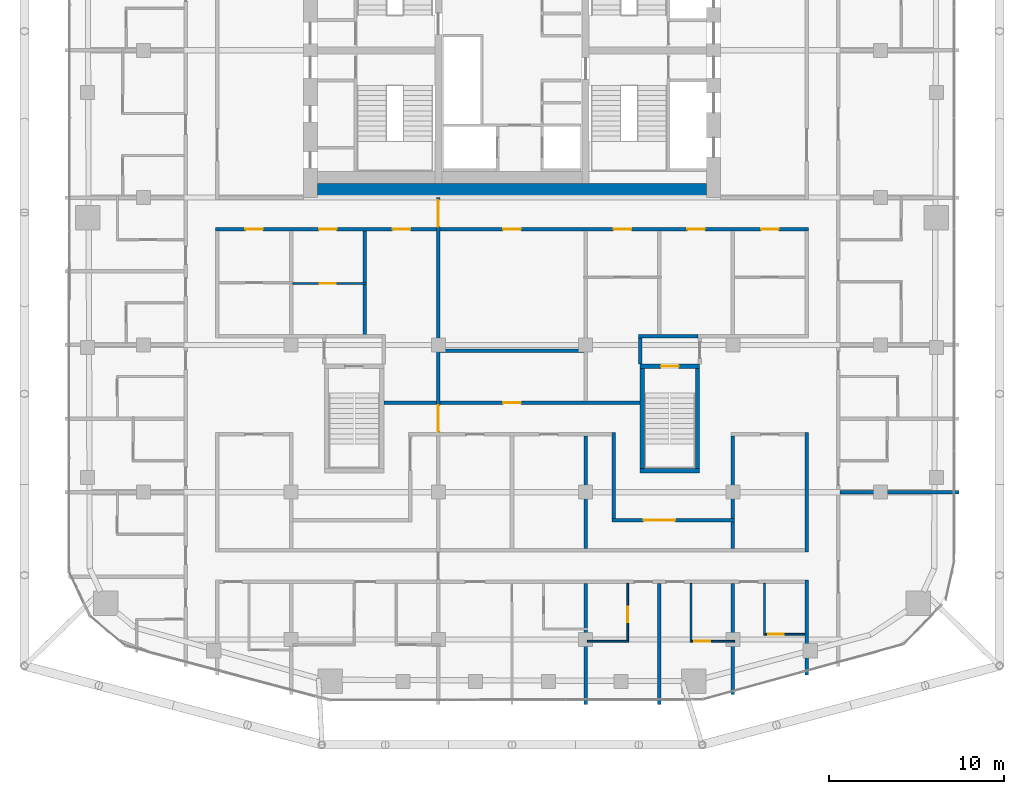
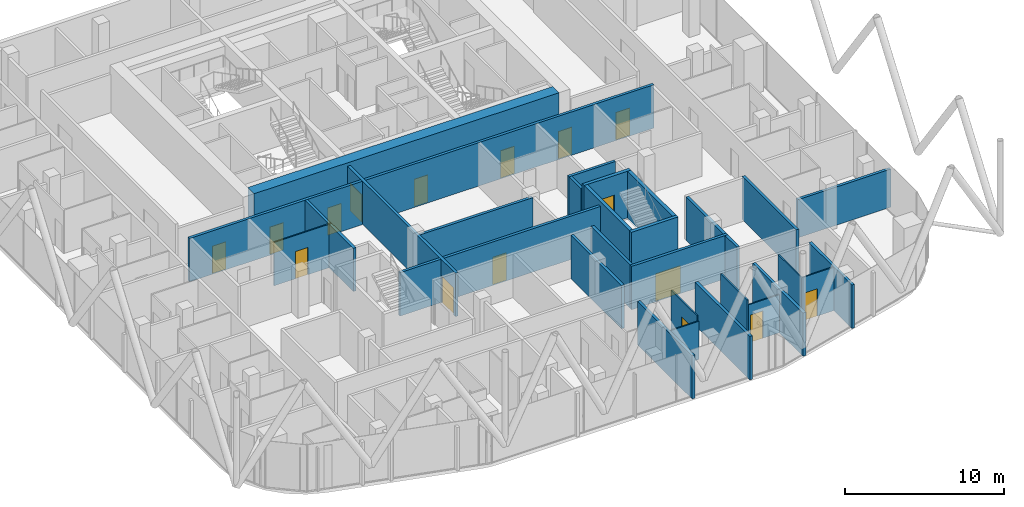
# One storey, part 22 of 28: 30 walls, 16 doors, 16 openings.
"""IFC4 building model written with IfcOpenShell, lengths in metres."""

from ifc_helpers import new_model, si_unit, direction, frame, frame_2d, origin, place, context, subcontext, project, spatial, rectangle, extrude, material, layer, layer_set, type_object, element, fill, save


model = new_model("IFC4")

# Units and contexts
model_context = context("Model", 3, precision=1e-05, world=origin(), true_north=direction((0.0, 1.0)))
body_context = subcontext(model_context, "Body", "Model", "MODEL_VIEW")
ifc_project = project(units=[si_unit("LENGTHUNIT", "METRE"), si_unit("AREAUNIT", "SQUARE_METRE"), si_unit("VOLUMEUNIT", "CUBIC_METRE"), si_unit("PLANEANGLEUNIT", "RADIAN"), si_unit("MASSUNIT", "GRAM", prefix="KILO")], contexts=[model_context])

# Site, building, storey
site_placement = place(None, origin())
site = spatial("IfcSite", under=ifc_project, at=site_placement, CompositionType="ELEMENT")
building_placement = place(site_placement, origin())
building = spatial("IfcBuilding", under=site, at=building_placement, Name="Marenta Gate Hotel Tower", CompositionType="ELEMENT")
storey_placement = place(building_placement, frame((0.0, 0.0, 227.300048828125)))
storey = spatial("IfcBuildingStorey", under=building, at=storey_placement, Name="L53", CompositionType="ELEMENT", Elevation=227.300048828125)

# Wall, openings, doors
ifc_material_1 = material(Name="Concrete blockwork", Category="masonry")
ifc_layer_1 = layer(ifc_material_1, 0.199951171875)
ifc_layer_set_1 = layer_set([ifc_layer_1], Name="Concrete blockwork")
wall_type_1 = type_object("IfcWallType", Name="Compartment wall 200 REI 180", PredefinedType="PARTITIONING", material=ifc_layer_set_1)
wall_1_placement = place(storey_placement, frame((-4.199951171875, -13.60009765625, 0.0), z_axis=(0.0, 0.0, 1.0), x_axis=(0.0, 1.0, 0.0)))
wall_1 = element("IfcWall", 1, at=wall_1_placement, inside=storey, type_object=wall_type_1, Name="L53-PTN-W082", PredefinedType="PARTITIONING", context=body_context, shape_type="SweptSolid", body=[
    extrude(rectangle(XDim=13.60009765625, YDim=0.199951171875, at=frame_2d((6.800048828125, 0.0))), origin(), (0.0, 0.0, 1.0), 3.33984375),
])
opening_1_placement = place(wall_1_placement, frame((11.949951171875, 0.0, 0.0)))
opening_1 = element("IfcOpeningElement", 2, at=opening_1_placement, cuts=wall_1, Name="Opening G19-FD2", PredefinedType="OPENING", context=body_context, shape_type="SweptSolid", body=[
    extrude(rectangle(XDim=1.5, YDim=2.10009765625, at=frame_2d((0.75, 1.050048828125))), frame((0.0, 0.10009765625, 0.0), z_axis=(0.0, -1.0, 0.0), x_axis=(1.0, 0.0, 0.0)), (0.0, 0.0, 1.0), 0.199951171875),
])
opening_2_placement = place(wall_1_placement, frame((0.25, 0.0, 0.0)))
opening_2 = element("IfcOpeningElement", 3, at=opening_2_placement, cuts=wall_1, Name="Opening G19-FD3", PredefinedType="OPENING", context=body_context, shape_type="SweptSolid", body=[
    extrude(rectangle(XDim=1.5, YDim=2.10009765625, at=frame_2d((0.75, 1.050048828125))), frame((0.0, 0.10009765625, 0.0), z_axis=(0.0, -1.0, 0.0), x_axis=(1.0, 0.0, 0.0)), (0.0, 0.0, 1.0), 0.199951171875),
])
ifc_material_2 = material(Name="Hollow steel door set", Category="steel")
door_type_1 = type_object("IfcDoorType", Name="Compartment fire door 1500x2100 EI 60", OperationType="DOUBLE_DOOR_DOUBLE_SWING", PredefinedType="DOOR", material=ifc_material_2)
door_1_placement = place(opening_1_placement, origin())
door_1 = element("IfcDoor", 4, at=door_1_placement, inside=storey, type_object=door_type_1, Name="L53-PD-FD02", OperationType="DOUBLE_DOOR_DOUBLE_SWING", OverallHeight=2.10009765625, OverallWidth=1.5, PredefinedType="DOOR", context=body_context, shape_type="SweptSolid", body=[
    extrude(rectangle(XDim=1.5, YDim=2.10009765625, at=frame_2d((0.75, 1.050048828125))), frame((0.0, 0.02490234375, 0.0), z_axis=(0.0, -1.0, 0.0), x_axis=(1.0, 0.0, 0.0)), (0.0, 0.0, 1.0), 0.050048828125),
])
fill(opening_1, door_1)
door_2_placement = place(opening_2_placement, origin())
door_2 = element("IfcDoor", 5, at=door_2_placement, inside=storey, type_object=door_type_1, Name="L53-PD-FD03", OperationType="DOUBLE_DOOR_DOUBLE_SWING", OverallHeight=2.10009765625, OverallWidth=1.5, PredefinedType="DOOR", context=body_context, shape_type="SweptSolid", body=[
    extrude(rectangle(XDim=1.5, YDim=2.10009765625, at=frame_2d((0.75, 1.050048828125))), frame((0.0, 0.02490234375, 0.0), z_axis=(0.0, -1.0, 0.0), x_axis=(1.0, 0.0, 0.0)), (0.0, 0.0, 1.0), 0.050048828125),
])
fill(opening_2, door_2)

# Walls
ifc_material_3 = material(Name="Concrete C60", Category="concrete")
ifc_layer_2 = layer(ifc_material_3, 0.800048828125)
ifc_layer_set_2 = layer_set([ifc_layer_2], Name="Concrete C60")
wall_type_2 = type_object("IfcWallType", Name="Core wall 800 C60", PredefinedType="SHEAR", material=ifc_layer_set_2)
wall_2_placement = place(storey_placement, frame((-11.10009765625, 0.39990234375, 0.0), z_axis=(0.0, 0.0, 1.0), x_axis=(1.0, 0.0, 0.0)))
element("IfcWall", 6, at=wall_2_placement, inside=storey, type_object=wall_type_2, Name="L53-CORE-S", PredefinedType="SHEAR", context=body_context, shape_type="SweptSolid", body=[
    extrude(rectangle(XDim=22.2001953125, YDim=0.800048828125, at=frame_2d((11.10009765625, 0.0))), origin(), (0.0, 0.0, 1.0), 3.599853515625),
])
ifc_material_4 = material(Name="Concrete C40", Category="concrete")
ifc_layer_3 = layer(ifc_material_4, 0.25)
ifc_layer_set_3 = layer_set([ifc_layer_3], Name="Concrete C40")
wall_type_3 = type_object("IfcWallType", Name="Remote stair enclosure wall 250 REI 180", PredefinedType="SHEAR", material=ifc_layer_set_3)
wall_3_placement = place(storey_placement, frame((7.300048828125, -15.574951171875, 0.099853515625), z_axis=(0.0, 0.0, 1.0), x_axis=(1.0, 0.0, 0.0)))
element("IfcWall", 7, at=wall_3_placement, inside=storey, type_object=wall_type_3, Name="L53-RS-Z3-2-W1", PredefinedType="SHEAR", context=body_context, shape_type="SweptSolid", body=[
    extrude(rectangle(XDim=3.39990234375, YDim=0.25, at=frame_2d((1.699951171875, 0.0))), origin(), (0.0, 0.0, 1.0), 3.60009765625),
])

# Wall, opening, door
wall_4_placement = place(storey_placement, frame((7.300048828125, -9.625, 0.099853515625), z_axis=(0.0, 0.0, 1.0), x_axis=(1.0, 0.0, 0.0)))
wall_4 = element("IfcWall", 8, at=wall_4_placement, inside=storey, type_object=wall_type_3, Name="L53-RS-Z3-2-W2", PredefinedType="SHEAR", context=body_context, shape_type="SweptSolid", body=[
    extrude(rectangle(XDim=3.39990234375, YDim=0.25, at=frame_2d((1.699951171875, 0.0))), origin(), (0.0, 0.0, 1.0), 3.60009765625),
])
opening_3_placement = place(wall_4_placement, frame((1.199951171875, 0.0, 0.0)))
opening_3 = element("IfcOpeningElement", 9, at=opening_3_placement, cuts=wall_4, Name="Opening VD", PredefinedType="OPENING", context=body_context, shape_type="SweptSolid", body=[
    extrude(rectangle(XDim=1.0, YDim=2.10009765625, at=frame_2d((0.5, 1.050048828125))), frame((0.0, 0.125, 0.0), z_axis=(0.0, -1.0, 0.0), x_axis=(1.0, 0.0, 0.0)), (0.0, 0.0, 1.0), 0.25),
])
ifc_material_5 = material(Name="Steel", Category="steel")
door_type_2 = type_object("IfcDoorType", Name="Stair vestibule door 1000x2100 FD60", OperationType="SINGLE_SWING_LEFT", PredefinedType="DOOR", material=ifc_material_5)
door_3_placement = place(opening_3_placement, origin())
door_3 = element("IfcDoor", 10, at=door_3_placement, inside=storey, type_object=door_type_2, Name="VD", OperationType="SINGLE_SWING_LEFT", OverallHeight=2.10009765625, OverallWidth=1.0, PredefinedType="DOOR", context=body_context, shape_type="SweptSolid", body=[
    extrude(rectangle(XDim=1.0, YDim=2.10009765625, at=frame_2d((0.5, 1.050048828125))), frame((0.0, 0.02490234375, 0.0), z_axis=(0.0, -1.0, 0.0), x_axis=(1.0, 0.0, 0.0)), (0.0, 0.0, 1.0), 0.050048828125),
])
fill(opening_3, door_3)

# Walls
for number, where, z_axis, x_axis, name in (
    (11, (7.425048828125, -15.449951171875, 0.099853515625), (0.0, 0.0, 1.0), (0.0, 1.0, 0.0), "L53-RS-Z3-2-W3"),
    (12, (10.574951171875, -15.449951171875, 0.099853515625), (0.0, 0.0, 1.0), (0.0, 1.0, 0.0), "L53-RS-Z3-2-W4"),
):
    element("IfcWall", number, at=place(storey_placement, frame(where, z_axis=z_axis, x_axis=x_axis)), inside=storey, type_object=wall_type_3, Name=name, PredefinedType="SHEAR", context=body_context, shape_type="SweptSolid", body=[
        extrude(rectangle(XDim=5.699951171875, YDim=0.25, at=frame_2d((2.85009765625, 0.0))), origin(), (0.0, 0.0, 1.0), 3.60009765625),
    ])

# Wall, opening, door
ifc_material_6 = material(Name="Concrete blockwork", Category="masonry")
ifc_layer_4 = layer(ifc_material_6, 0.199951171875)
ifc_layer_set_4 = layer_set([ifc_layer_4], Name="Concrete blockwork")
wall_type_4 = type_object("IfcWallType", Name="Room corridor wall 200 EI 120", PredefinedType="PARTITIONING", material=ifc_layer_set_4)
wall_5_placement = place(storey_placement, frame((-7.300048828125, -11.699951171875, 0.0), z_axis=(0.0, 0.0, 1.0), x_axis=(1.0, 0.0, 0.0)))
wall_5 = element("IfcWall", 13, at=wall_5_placement, inside=storey, type_object=wall_type_4, Name="L53-PTN-W043", PredefinedType="PARTITIONING", context=body_context, shape_type="SweptSolid", body=[
    extrude(rectangle(XDim=14.60009765625, YDim=0.199951171875, at=frame_2d((7.300048828125, 0.0))), origin(), (0.0, 0.0, 1.0), 3.33984375),
])
opening_4_placement = place(wall_5_placement, frame((6.800048828125, 0.0, 0.0)))
opening_4 = element("IfcOpeningElement", 14, at=opening_4_placement, cuts=wall_5, Name="Opening G19-73", PredefinedType="OPENING", context=body_context, shape_type="SweptSolid", body=[
    extrude(rectangle(XDim=1.0, YDim=2.10009765625, at=frame_2d((0.5, 1.050048828125))), frame((0.0, 0.10009765625, 0.0), z_axis=(0.0, -1.0, 0.0), x_axis=(1.0, 0.0, 0.0)), (0.0, 0.0, 1.0), 0.199951171875),
])
ifc_material_7 = material(Name="Timber door leaf", Category="wood")
door_type_3 = type_object("IfcDoorType", Name="Room amenity door 1000x2100 EI 60", OperationType="NOTDEFINED", PredefinedType="DOOR", material=ifc_material_7)
door_4_placement = place(opening_4_placement, origin())
door_4 = element("IfcDoor", 15, at=door_4_placement, inside=storey, type_object=door_type_3, Name="L53-PD-D073", OperationType="SINGLE_SWING_LEFT", OverallHeight=2.10009765625, OverallWidth=1.0, PredefinedType="DOOR", context=body_context, shape_type="SweptSolid", body=[
    extrude(rectangle(XDim=1.0, YDim=2.10009765625, at=frame_2d((0.5, 1.050048828125))), frame((0.0, 0.02490234375, 0.0), z_axis=(0.0, -1.0, 0.0), x_axis=(1.0, 0.0, 0.0)), (0.0, 0.0, 1.0), 0.050048828125),
])
fill(opening_4, door_4)

# Wall, openings, doors
wall_6_placement = place(storey_placement, frame((-16.89990234375, -1.800048828125, 0.0), z_axis=(0.0, 0.0, 1.0), x_axis=(1.0, 0.0, 0.0)))
wall_6 = element("IfcWall", 16, at=wall_6_placement, inside=storey, type_object=wall_type_4, Name="L53-PTN-W074", PredefinedType="PARTITIONING", context=body_context, shape_type="SweptSolid", body=[
    extrude(rectangle(XDim=33.7998046875, YDim=0.199951171875, at=frame_2d((16.89990234375, 0.0))), origin(), (0.0, 0.0, 1.0), 3.33984375),
])
opening_5_placement = place(wall_6_placement, frame((1.699951171875, 0.0, 0.0)))
opening_5 = element("IfcOpeningElement", 17, at=opening_5_placement, cuts=wall_6, Name="Opening G19-01", PredefinedType="OPENING", context=body_context, shape_type="SweptSolid", body=[
    extrude(rectangle(XDim=1.0, YDim=2.10009765625, at=frame_2d((0.5, 1.050048828125))), frame((0.0, 0.10009765625, 0.0), z_axis=(0.0, -1.0, 0.0), x_axis=(1.0, 0.0, 0.0)), (0.0, 0.0, 1.0), 0.199951171875),
])
opening_6_placement = place(wall_6_placement, frame((5.89990234375, 0.0, 0.0)))
opening_6 = element("IfcOpeningElement", 18, at=opening_6_placement, cuts=wall_6, Name="Opening G19-03", PredefinedType="OPENING", context=body_context, shape_type="SweptSolid", body=[
    extrude(rectangle(XDim=1.0, YDim=2.10009765625, at=frame_2d((0.5, 1.050048828125))), frame((0.0, 0.10009765625, 0.0), z_axis=(0.0, -1.0, 0.0), x_axis=(1.0, 0.0, 0.0)), (0.0, 0.0, 1.0), 0.199951171875),
])
opening_7_placement = place(wall_6_placement, frame((10.10009765625, 0.0, 0.0)))
opening_7 = element("IfcOpeningElement", 19, at=opening_7_placement, cuts=wall_6, Name="Opening G19-05", PredefinedType="OPENING", context=body_context, shape_type="SweptSolid", body=[
    extrude(rectangle(XDim=1.0, YDim=2.10009765625, at=frame_2d((0.5, 1.050048828125))), frame((0.0, 0.10009765625, 0.0), z_axis=(0.0, -1.0, 0.0), x_axis=(1.0, 0.0, 0.0)), (0.0, 0.0, 1.0), 0.199951171875),
])
opening_8_placement = place(wall_6_placement, frame((22.699951171875, 0.0, 0.0)))
opening_8 = element("IfcOpeningElement", 20, at=opening_8_placement, cuts=wall_6, Name="Opening G19-06", PredefinedType="OPENING", context=body_context, shape_type="SweptSolid", body=[
    extrude(rectangle(XDim=1.0, YDim=2.10009765625, at=frame_2d((0.5, 1.050048828125))), frame((0.0, 0.10009765625, 0.0), z_axis=(0.0, -1.0, 0.0), x_axis=(1.0, 0.0, 0.0)), (0.0, 0.0, 1.0), 0.199951171875),
])
opening_9_placement = place(wall_6_placement, frame((26.89990234375, 0.0, 0.0)))
opening_9 = element("IfcOpeningElement", 21, at=opening_9_placement, cuts=wall_6, Name="Opening G19-08", PredefinedType="OPENING", context=body_context, shape_type="SweptSolid", body=[
    extrude(rectangle(XDim=1.0, YDim=2.10009765625, at=frame_2d((0.5, 1.050048828125))), frame((0.0, 0.10009765625, 0.0), z_axis=(0.0, -1.0, 0.0), x_axis=(1.0, 0.0, 0.0)), (0.0, 0.0, 1.0), 0.199951171875),
])
opening_10_placement = place(wall_6_placement, frame((31.10009765625, 0.0, 0.0)))
opening_10 = element("IfcOpeningElement", 22, at=opening_10_placement, cuts=wall_6, Name="Opening G19-09", PredefinedType="OPENING", context=body_context, shape_type="SweptSolid", body=[
    extrude(rectangle(XDim=1.0, YDim=2.10009765625, at=frame_2d((0.5, 1.050048828125))), frame((0.0, 0.10009765625, 0.0), z_axis=(0.0, -1.0, 0.0), x_axis=(1.0, 0.0, 0.0)), (0.0, 0.0, 1.0), 0.199951171875),
])
opening_11_placement = place(wall_6_placement, frame((16.39990234375, 0.0, 0.0)))
opening_11 = element("IfcOpeningElement", 23, at=opening_11_placement, cuts=wall_6, Name="Opening G19-74", PredefinedType="OPENING", context=body_context, shape_type="SweptSolid", body=[
    extrude(rectangle(XDim=1.0, YDim=2.10009765625, at=frame_2d((0.5, 1.050048828125))), frame((0.0, 0.10009765625, 0.0), z_axis=(0.0, -1.0, 0.0), x_axis=(1.0, 0.0, 0.0)), (0.0, 0.0, 1.0), 0.199951171875),
])
door_5_placement = place(opening_7_placement, origin())
door_5 = element("IfcDoor", 24, at=door_5_placement, inside=storey, type_object=door_type_3, Name="L53-PD-D005", OperationType="SINGLE_SWING_RIGHT", OverallHeight=2.10009765625, OverallWidth=1.0, PredefinedType="DOOR", context=body_context, shape_type="SweptSolid", body=[
    extrude(rectangle(XDim=1.0, YDim=2.10009765625, at=frame_2d((0.5, 1.050048828125))), frame((0.0, 0.02490234375, 0.0), z_axis=(0.0, -1.0, 0.0), x_axis=(1.0, 0.0, 0.0)), (0.0, 0.0, 1.0), 0.050048828125),
])
fill(opening_7, door_5)
door_6_placement = place(opening_9_placement, origin())
door_6 = element("IfcDoor", 25, at=door_6_placement, inside=storey, type_object=door_type_3, Name="L53-PD-D008", OperationType="SINGLE_SWING_LEFT", OverallHeight=2.10009765625, OverallWidth=1.0, PredefinedType="DOOR", context=body_context, shape_type="SweptSolid", body=[
    extrude(rectangle(XDim=1.0, YDim=2.10009765625, at=frame_2d((0.5, 1.050048828125))), frame((0.0, 0.02490234375, 0.0), z_axis=(0.0, -1.0, 0.0), x_axis=(1.0, 0.0, 0.0)), (0.0, 0.0, 1.0), 0.050048828125),
])
fill(opening_9, door_6)
door_7_placement = place(opening_11_placement, origin())
door_7 = element("IfcDoor", 26, at=door_7_placement, inside=storey, type_object=door_type_3, Name="L53-PD-D074", OperationType="SINGLE_SWING_LEFT", OverallHeight=2.10009765625, OverallWidth=1.0, PredefinedType="DOOR", context=body_context, shape_type="SweptSolid", body=[
    extrude(rectangle(XDim=1.0, YDim=2.10009765625, at=frame_2d((0.5, 1.050048828125))), frame((0.0, 0.02490234375, 0.0), z_axis=(0.0, -1.0, 0.0), x_axis=(1.0, 0.0, 0.0)), (0.0, 0.0, 1.0), 0.050048828125),
])
fill(opening_11, door_7)
ifc_material_8 = material(Name="Hollow steel door set", Category="steel")
door_type_4 = type_object("IfcDoorType", Name="Room service door 1000x2100 EI 60", OperationType="NOTDEFINED", PredefinedType="DOOR", material=ifc_material_8)
door_8_placement = place(opening_5_placement, origin())
door_8 = element("IfcDoor", 27, at=door_8_placement, inside=storey, type_object=door_type_4, Name="L53-PD-D001", OperationType="SINGLE_SWING_LEFT", OverallHeight=2.10009765625, OverallWidth=1.0, PredefinedType="DOOR", context=body_context, shape_type="SweptSolid", body=[
    extrude(rectangle(XDim=1.0, YDim=2.10009765625, at=frame_2d((0.5, 1.050048828125))), frame((0.0, 0.02490234375, 0.0), z_axis=(0.0, -1.0, 0.0), x_axis=(1.0, 0.0, 0.0)), (0.0, 0.0, 1.0), 0.050048828125),
])
fill(opening_5, door_8)
door_9_placement = place(opening_6_placement, origin())
door_9 = element("IfcDoor", 28, at=door_9_placement, inside=storey, type_object=door_type_4, Name="L53-PD-D003", OperationType="SINGLE_SWING_LEFT", OverallHeight=2.10009765625, OverallWidth=1.0, PredefinedType="DOOR", context=body_context, shape_type="SweptSolid", body=[
    extrude(rectangle(XDim=1.0, YDim=2.10009765625, at=frame_2d((0.5, 1.050048828125))), frame((0.0, 0.02490234375, 0.0), z_axis=(0.0, -1.0, 0.0), x_axis=(1.0, 0.0, 0.0)), (0.0, 0.0, 1.0), 0.050048828125),
])
fill(opening_6, door_9)
door_10_placement = place(opening_8_placement, origin())
door_10 = element("IfcDoor", 29, at=door_10_placement, inside=storey, type_object=door_type_4, Name="L53-PD-D006", OperationType="SINGLE_SWING_RIGHT", OverallHeight=2.10009765625, OverallWidth=1.0, PredefinedType="DOOR", context=body_context, shape_type="SweptSolid", body=[
    extrude(rectangle(XDim=1.0, YDim=2.10009765625, at=frame_2d((0.5, 1.050048828125))), frame((0.0, 0.02490234375, 0.0), z_axis=(0.0, -1.0, 0.0), x_axis=(1.0, 0.0, 0.0)), (0.0, 0.0, 1.0), 0.050048828125),
])
fill(opening_8, door_10)
door_11_placement = place(opening_10_placement, origin())
door_11 = element("IfcDoor", 30, at=door_11_placement, inside=storey, type_object=door_type_4, Name="L53-PD-D009", OperationType="SINGLE_SWING_LEFT", OverallHeight=2.10009765625, OverallWidth=1.0, PredefinedType="DOOR", context=body_context, shape_type="SweptSolid", body=[
    extrude(rectangle(XDim=1.0, YDim=2.10009765625, at=frame_2d((0.5, 1.050048828125))), frame((0.0, 0.02490234375, 0.0), z_axis=(0.0, -1.0, 0.0), x_axis=(1.0, 0.0, 0.0)), (0.0, 0.0, 1.0), 0.050048828125),
])
fill(opening_10, door_11)

# Wall, opening, door
ifc_material_9 = material(Name="Gypsum board on steel stud", Category="steel")
ifc_layer_5 = layer(ifc_material_9, 0.199951171875)
ifc_layer_set_5 = layer_set([ifc_layer_5], Name="Gypsum board on steel stud")
wall_type_5 = type_object("IfcWallType", Name="Room corridor wall 200 EI 60", PredefinedType="PARTITIONING", material=ifc_layer_set_5)
wall_7_placement = place(storey_placement, frame((5.699951171875, -18.39990234375, 0.0), z_axis=(0.0, 0.0, 1.0), x_axis=(1.0, 0.0, 0.0)))
wall_7 = element("IfcWall", 31, at=wall_7_placement, inside=storey, type_object=wall_type_5, Name="L53-PTN-W023", PredefinedType="PARTITIONING", context=body_context, shape_type="SweptSolid", body=[
    extrude(rectangle(XDim=7.0, YDim=0.199951171875, at=frame_2d((3.5, 0.0))), origin(), (0.0, 0.0, 1.0), 3.33984375),
])
opening_12_placement = place(wall_7_placement, frame((1.800048828125, 0.0, 0.0)))
opening_12 = element("IfcOpeningElement", 32, at=opening_12_placement, cuts=wall_7, Name="Opening G19-15", PredefinedType="OPENING", context=body_context, shape_type="SweptSolid", body=[
    extrude(rectangle(XDim=1.800048828125, YDim=2.10009765625, at=frame_2d((0.89990234375, 1.050048828125))), frame((0.0, 0.10009765625, 0.0), z_axis=(0.0, -1.0, 0.0), x_axis=(1.0, 0.0, 0.0)), (0.0, 0.0, 1.0), 0.199951171875),
])
ifc_material_10 = material(Name="Timber door leaf", Category="wood")
door_type_5 = type_object("IfcDoorType", Name="Room amenity door 1800x2100 EI 30", OperationType="DOUBLE_DOOR_SINGLE_SWING", PredefinedType="DOOR", material=ifc_material_10)
door_12_placement = place(opening_12_placement, origin())
door_12 = element("IfcDoor", 33, at=door_12_placement, inside=storey, type_object=door_type_5, Name="L53-PD-D015", OperationType="DOUBLE_DOOR_SINGLE_SWING", OverallHeight=2.10009765625, OverallWidth=1.800048828125, PredefinedType="DOOR", context=body_context, shape_type="SweptSolid", body=[
    extrude(rectangle(XDim=1.800048828125, YDim=2.10009765625, at=frame_2d((0.89990234375, 1.050048828125))), frame((0.0, 0.02490234375, 0.0), z_axis=(0.0, -1.0, 0.0), x_axis=(1.0, 0.0, 0.0)), (0.0, 0.0, 1.0), 0.050048828125),
])
fill(opening_12, door_12)

# Walls
wall_8_placement = place(storey_placement, frame((16.800048828125, -27.22900390625, 0.0), z_axis=(0.0, 0.0, 1.0), x_axis=(0.0, 1.0, 0.0)))
element("IfcWall", 34, at=wall_8_placement, inside=storey, type_object=wall_type_5, Name="L53-PTN-W024", PredefinedType="PARTITIONING", context=body_context, shape_type="SweptSolid", body=[
    extrude(rectangle(XDim=5.428955078125, YDim=0.199951171875, at=frame_2d((2.71435546875, 0.0))), origin(), (0.0, 0.0, 1.0), 3.33984375),
])
wall_9_placement = place(storey_placement, frame((16.800048828125, -20.199951171875, 0.0), z_axis=(0.0, 0.0, 1.0), x_axis=(0.0, 1.0, 0.0)))
element("IfcWall", 35, at=wall_9_placement, inside=storey, type_object=wall_type_5, Name="L53-PTN-W025", PredefinedType="PARTITIONING", context=body_context, shape_type="SweptSolid", body=[
    extrude(rectangle(XDim=6.800048828125, YDim=0.199951171875, at=frame_2d((3.39990234375, 0.0))), origin(), (0.0, 0.0, 1.0), 3.33984375),
])
wall_10_placement = place(storey_placement, frame((12.60009765625, -18.300048828125, 0.0), z_axis=(0.0, 0.0, 1.0), x_axis=(0.0, 1.0, 0.0)))
element("IfcWall", 36, at=wall_10_placement, inside=storey, type_object=wall_type_5, Name="L53-PTN-W040", PredefinedType="PARTITIONING", context=body_context, shape_type="SweptSolid", body=[
    extrude(rectangle(XDim=4.699951171875, YDim=0.199951171875, at=frame_2d((2.35009765625, 0.0))), origin(), (0.0, 0.0, 1.0), 3.33984375),
])
wall_11_placement = place(storey_placement, frame((5.800048828125, -18.300048828125, 0.0), z_axis=(0.0, 0.0, 1.0), x_axis=(0.0, 1.0, 0.0)))
element("IfcWall", 37, at=wall_11_placement, inside=storey, type_object=wall_type_5, Name="L53-PTN-W060", PredefinedType="PARTITIONING", context=body_context, shape_type="SweptSolid", body=[
    extrude(rectangle(XDim=4.900146484375, YDim=0.199951171875, at=frame_2d((2.4501953125, 0.0))), origin(), (0.0, 0.0, 1.0), 3.33984375),
])
ifc_material_11 = material(Name="Gypsum board on steel stud", Category="steel")
ifc_layer_6 = layer(ifc_material_11, 0.10009765625)
ifc_layer_set_6 = layer_set([ifc_layer_6], Name="Gypsum board on steel stud")
wall_type_6 = type_object("IfcWallType", Name="Room partition 100", PredefinedType="PARTITIONING", material=ifc_layer_set_6)
wall_12_placement = place(storey_placement, frame((4.300048828125, -25.300048828125, 0.0), z_axis=(0.0, 0.0, 1.0), x_axis=(1.0, 0.0, 0.0)))
element("IfcWall", 38, at=wall_12_placement, inside=storey, type_object=wall_type_6, Name="L53-PTN-W005", PredefinedType="PARTITIONING", context=body_context, shape_type="SweptSolid", body=[
    extrude(rectangle(XDim=2.349853515625, YDim=0.10009765625, at=frame_2d((1.1748046875, 0.0))), origin(), (0.0, 0.0, 1.0), 2.93994140625),
])

# Wall, opening, door
wall_13_placement = place(storey_placement, frame((10.25, -25.300048828125, 0.0), z_axis=(0.0, 0.0, 1.0), x_axis=(1.0, 0.0, 0.0)))
wall_13 = element("IfcWall", 39, at=wall_13_placement, inside=storey, type_object=wall_type_6, Name="L53-PTN-W006", PredefinedType="PARTITIONING", context=body_context, shape_type="SweptSolid", body=[
    extrude(rectangle(XDim=2.449951171875, YDim=0.10009765625, at=frame_2d((1.22509765625, 0.0))), origin(), (0.0, 0.0, 1.0), 2.93994140625),
])
opening_13_placement = place(wall_13_placement, frame((0.14990234375, 0.0, 0.0)))
opening_13 = element("IfcOpeningElement", 40, at=opening_13_placement, cuts=wall_13, Name="Opening G19-47", PredefinedType="OPENING", context=body_context, shape_type="SweptSolid", body=[
    extrude(rectangle(XDim=0.89990234375, YDim=2.10009765625, at=frame_2d((0.449951171875, 1.050048828125))), frame((0.0, 0.050048828125, 0.0), z_axis=(0.0, -1.0, 0.0), x_axis=(1.0, 0.0, 0.0)), (0.0, 0.0, 1.0), 0.10009765625),
])
ifc_material_12 = material(Name="Timber door leaf", Category="wood")
door_type_6 = type_object("IfcDoorType", Name="Guest bathroom door 900x2100", OperationType="NOTDEFINED", PredefinedType="DOOR", material=ifc_material_12)
door_13_placement = place(opening_13_placement, origin())
door_13 = element("IfcDoor", 41, at=door_13_placement, inside=storey, type_object=door_type_6, Name="L53-PD-D047", OperationType="SINGLE_SWING_LEFT", OverallHeight=2.10009765625, OverallWidth=0.89990234375, PredefinedType="DOOR", context=body_context, shape_type="SweptSolid", body=[
    extrude(rectangle(XDim=0.89990234375, YDim=2.10009765625, at=frame_2d((0.449951171875, 1.050048828125))), frame((0.0, 0.02490234375, 0.0), z_axis=(0.0, -1.0, 0.0), x_axis=(1.0, 0.0, 0.0)), (0.0, 0.0, 1.0), 0.050048828125),
])
fill(opening_13, door_13)

wall_14_placement = place(storey_placement, frame((14.449951171875, -24.89990234375, 0.0), z_axis=(0.0, 0.0, 1.0), x_axis=(1.0, 0.0, 0.0)))
wall_14 = element("IfcWall", 42, at=wall_14_placement, inside=storey, type_object=wall_type_6, Name="L53-PTN-W007", PredefinedType="PARTITIONING", context=body_context, shape_type="SweptSolid", body=[
    extrude(rectangle(XDim=2.25, YDim=0.10009765625, at=frame_2d((1.125, 0.0))), origin(), (0.0, 0.0, 1.0), 3.33984375),
])
opening_14_placement = place(wall_14_placement, frame((0.14990234375, 0.0, 0.0)))
opening_14 = element("IfcOpeningElement", 43, at=opening_14_placement, cuts=wall_14, Name="Opening G19-49", PredefinedType="OPENING", context=body_context, shape_type="SweptSolid", body=[
    extrude(rectangle(XDim=0.89990234375, YDim=2.10009765625, at=frame_2d((0.449951171875, 1.050048828125))), frame((0.0, 0.050048828125, 0.0), z_axis=(0.0, -1.0, 0.0), x_axis=(1.0, 0.0, 0.0)), (0.0, 0.0, 1.0), 0.10009765625),
])
door_14_placement = place(opening_14_placement, origin())
door_14 = element("IfcDoor", 44, at=door_14_placement, inside=storey, type_object=door_type_6, Name="L53-PD-D049", OperationType="SINGLE_SWING_LEFT", OverallHeight=2.10009765625, OverallWidth=0.89990234375, PredefinedType="DOOR", context=body_context, shape_type="SweptSolid", body=[
    extrude(rectangle(XDim=0.89990234375, YDim=2.10009765625, at=frame_2d((0.449951171875, 1.050048828125))), frame((0.0, 0.02490234375, 0.0), z_axis=(0.0, -1.0, 0.0), x_axis=(1.0, 0.0, 0.0)), (0.0, 0.0, 1.0), 0.050048828125),
])
fill(opening_14, door_14)

# Walls
wall_15_placement = place(storey_placement, frame((14.39990234375, -24.949951171875, 0.0), z_axis=(0.0, 0.0, 1.0), x_axis=(0.0, 1.0, 0.0)))
element("IfcWall", 45, at=wall_15_placement, inside=storey, type_object=wall_type_6, Name="L53-PTN-W032", PredefinedType="PARTITIONING", context=body_context, shape_type="SweptSolid", body=[
    extrude(rectangle(XDim=2.949951171875, YDim=0.10009765625, at=frame_2d((1.47509765625, 0.0))), origin(), (0.0, 0.0, 1.0), 3.33984375),
])
wall_16_placement = place(storey_placement, frame((10.199951171875, -25.35009765625, 0.0), z_axis=(0.0, 0.0, 1.0), x_axis=(0.0, 1.0, 0.0)))
element("IfcWall", 46, at=wall_16_placement, inside=storey, type_object=wall_type_6, Name="L53-PTN-W045", PredefinedType="PARTITIONING", context=body_context, shape_type="SweptSolid", body=[
    extrude(rectangle(XDim=3.35009765625, YDim=0.10009765625, at=frame_2d((1.675048828125, 0.0))), origin(), (0.0, 0.0, 1.0), 3.33984375),
])

# Wall, opening, door
wall_17_placement = place(storey_placement, frame((6.60009765625, -25.25, 0.0), z_axis=(0.0, 0.0, 1.0), x_axis=(0.0, 1.0, 0.0)))
wall_17 = element("IfcWall", 47, at=wall_17_placement, inside=storey, type_object=wall_type_6, Name="L53-PTN-W058", PredefinedType="PARTITIONING", context=body_context, shape_type="SweptSolid", body=[
    extrude(rectangle(XDim=3.25, YDim=0.10009765625, at=frame_2d((1.625, 0.0))), origin(), (0.0, 0.0, 1.0), 3.33984375),
])
opening_15_placement = place(wall_17_placement, frame((1.030029296875, 0.0, 0.0)))
opening_15 = element("IfcOpeningElement", 48, at=opening_15_placement, cuts=wall_17, Name="Opening G19-45", PredefinedType="OPENING", context=body_context, shape_type="SweptSolid", body=[
    extrude(rectangle(XDim=0.89990234375, YDim=2.10009765625, at=frame_2d((0.449951171875, 1.050048828125))), frame((0.0, 0.050048828125, 0.0), z_axis=(0.0, -1.0, 0.0), x_axis=(1.0, 0.0, 0.0)), (0.0, 0.0, 1.0), 0.10009765625),
])
door_15_placement = place(opening_15_placement, origin())
door_15 = element("IfcDoor", 49, at=door_15_placement, inside=storey, type_object=door_type_6, Name="L53-PD-D045", OperationType="SINGLE_SWING_LEFT", OverallHeight=2.10009765625, OverallWidth=0.89990234375, PredefinedType="DOOR", context=body_context, shape_type="SweptSolid", body=[
    extrude(rectangle(XDim=0.89990234375, YDim=2.10009765625, at=frame_2d((0.449951171875, 1.050048828125))), frame((0.0, 0.02490234375, 0.0), z_axis=(0.0, -1.0, 0.0), x_axis=(1.0, 0.0, 0.0)), (0.0, 0.0, 1.0), 0.050048828125),
])
fill(opening_15, door_15)

wall_18_placement = place(storey_placement, frame((-12.5, -4.89990234375, 0.0), z_axis=(0.0, 0.0, 1.0), x_axis=(1.0, 0.0, 0.0)))
wall_18 = element("IfcWall", 50, at=wall_18_placement, inside=storey, type_object=wall_type_6, Name="L53-PTN-W061", PredefinedType="PARTITIONING", context=body_context, shape_type="SweptSolid", body=[
    extrude(rectangle(XDim=4.199951171875, YDim=0.10009765625, at=frame_2d((2.10009765625, 0.0))), origin(), (0.0, 0.0, 1.0), 3.33984375),
])
opening_16_placement = place(wall_18_placement, frame((1.550048828125, 0.0, 0.0)))
opening_16 = element("IfcOpeningElement", 51, at=opening_16_placement, cuts=wall_18, Name="Opening G19-04", PredefinedType="OPENING", context=body_context, shape_type="SweptSolid", body=[
    extrude(rectangle(XDim=0.89990234375, YDim=2.10009765625, at=frame_2d((0.449951171875, 1.050048828125))), frame((0.0, 0.050048828125, 0.0), z_axis=(0.0, -1.0, 0.0), x_axis=(1.0, 0.0, 0.0)), (0.0, 0.0, 1.0), 0.10009765625),
])
ifc_material_13 = material(Name="Timber door leaf", Category="wood")
door_type_7 = type_object("IfcDoorType", Name="Room inner door 900x2100", OperationType="NOTDEFINED", PredefinedType="DOOR", material=ifc_material_13)
door_16_placement = place(opening_16_placement, origin())
door_16 = element("IfcDoor", 52, at=door_16_placement, inside=storey, type_object=door_type_7, Name="L53-PD-D004", OperationType="SINGLE_SWING_RIGHT", OverallHeight=2.10009765625, OverallWidth=0.89990234375, PredefinedType="DOOR", context=body_context, shape_type="SweptSolid", body=[
    extrude(rectangle(XDim=0.89990234375, YDim=2.10009765625, at=frame_2d((0.449951171875, 1.050048828125))), frame((0.0, 0.02490234375, 0.0), z_axis=(0.0, -1.0, 0.0), x_axis=(1.0, 0.0, 0.0)), (0.0, 0.0, 1.0), 0.050048828125),
])
fill(opening_16, door_16)

# Walls
ifc_material_14 = material(Name="Concrete blockwork", Category="masonry")
ifc_layer_7 = layer(ifc_material_14, 0.199951171875)
ifc_layer_set_7 = layer_set([ifc_layer_7], Name="Concrete blockwork")
wall_type_7 = type_object("IfcWallType", Name="Room party wall 200 EI 120", PredefinedType="PARTITIONING", material=ifc_layer_set_7)
wall_19_placement = place(storey_placement, frame((-8.39990234375, -8.0, 0.0), z_axis=(0.0, 0.0, 1.0), x_axis=(0.0, 1.0, 0.0)))
element("IfcWall", 53, at=wall_19_placement, inside=storey, type_object=wall_type_7, Name="L53-PTN-W088", PredefinedType="PARTITIONING", context=body_context, shape_type="SweptSolid", body=[
    extrude(rectangle(XDim=6.10009765625, YDim=0.199951171875, at=frame_2d((3.050048828125, 0.0))), origin(), (0.0, 0.0, 1.0), 3.33984375),
])
ifc_material_15 = material(Name="Gypsum board on steel stud", Category="steel")
ifc_layer_8 = layer(ifc_material_15, 0.199951171875)
ifc_layer_set_8 = layer_set([ifc_layer_8], Name="Gypsum board on steel stud")
wall_type_8 = type_object("IfcWallType", Name="Room party wall 200 EI 60", PredefinedType="PARTITIONING", material=ifc_layer_set_8)
wall_20_placement = place(storey_placement, frame((18.699951171875, -16.800048828125, 0.0), z_axis=(0.0, 0.0, 1.0), x_axis=(1.0, 0.0, 0.0)))
element("IfcWall", 54, at=wall_20_placement, inside=storey, type_object=wall_type_8, Name="L53-PTN-W029", PredefinedType="PARTITIONING", context=body_context, shape_type="SweptSolid", body=[
    extrude(rectangle(XDim=6.800048828125, YDim=0.199951171875, at=frame_2d((3.39990234375, 0.0))), origin(), (0.0, 0.0, 1.0), 2.93994140625),
])
wall_21_placement = place(storey_placement, frame((12.60009765625, -28.343017578125, 0.0), z_axis=(0.0, 0.0, 1.0), x_axis=(0.0, 1.0, 0.0)))
element("IfcWall", 55, at=wall_21_placement, inside=storey, type_object=wall_type_8, Name="L53-PTN-W036", PredefinedType="PARTITIONING", context=body_context, shape_type="SweptSolid", body=[
    extrude(rectangle(XDim=6.343017578125, YDim=0.199951171875, at=frame_2d((3.17138671875, 0.0))), origin(), (0.0, 0.0, 1.0), 3.33984375),
])
wall_22_placement = place(storey_placement, frame((12.60009765625, -20.0, 0.0), z_axis=(0.0, 0.0, 1.0), x_axis=(0.0, 1.0, 0.0)))
element("IfcWall", 56, at=wall_22_placement, inside=storey, type_object=wall_type_8, Name="L53-PTN-W037", PredefinedType="PARTITIONING", context=body_context, shape_type="SweptSolid", body=[
    extrude(rectangle(XDim=1.5, YDim=0.199951171875, at=frame_2d((0.75, 0.0))), origin(), (0.0, 0.0, 1.0), 3.33984375),
])
wall_23_placement = place(storey_placement, frame((-4.10009765625, -8.72998046875, 0.0), z_axis=(0.0, 0.0, 1.0), x_axis=(1.0, 0.0, 0.0)))
element("IfcWall", 57, at=wall_23_placement, inside=storey, type_object=wall_type_8, Name="L53-PTN-W048", PredefinedType="PARTITIONING", context=body_context, shape_type="SweptSolid", body=[
    extrude(rectangle(XDim=8.2001953125, YDim=0.199951171875, at=frame_2d((4.10009765625, 0.0))), origin(), (0.0, 0.0, 1.0), 3.33984375),
])
for number, where, z_axis, x_axis, name in (
    (58, (8.39990234375, -28.89990234375, 0.0), (0.0, 0.0, 1.0), (0.0, 1.0, 0.0), "L53-PTN-W049"),
    (59, (4.199951171875, -28.89990234375, 0.0), (0.0, 0.0, 1.0), (0.0, 1.0, 0.0), "L53-PTN-W066"),
):
    element("IfcWall", number, at=place(storey_placement, frame(where, z_axis=z_axis, x_axis=x_axis)), inside=storey, type_object=wall_type_8, Name=name, PredefinedType="PARTITIONING", context=body_context, shape_type="SweptSolid", body=[
        extrude(rectangle(XDim=6.89990234375, YDim=0.199951171875, at=frame_2d((3.449951171875, 0.0))), origin(), (0.0, 0.0, 1.0), 3.33984375),
    ])
wall_24_placement = place(storey_placement, frame((4.199951171875, -20.0, 0.0), z_axis=(0.0, 0.0, 1.0), x_axis=(0.0, 1.0, 0.0)))
element("IfcWall", 60, at=wall_24_placement, inside=storey, type_object=wall_type_8, Name="L53-PTN-W067", PredefinedType="PARTITIONING", context=body_context, shape_type="SweptSolid", body=[
    extrude(rectangle(XDim=6.39990234375, YDim=0.199951171875, at=frame_2d((3.199951171875, 0.0))), origin(), (0.0, 0.0, 1.0), 3.33984375),
])
ifc_material_16 = material(Name="Concrete blockwork", Category="masonry")
ifc_layer_9 = layer(ifc_material_16, 0.199951171875)
ifc_layer_set_9 = layer_set([ifc_layer_9], Name="Concrete blockwork")
wall_type_9 = type_object("IfcWallType", Name="Room party wall 200 REI 180", PredefinedType="PARTITIONING", material=ifc_layer_set_9)
wall_25_placement = place(storey_placement, frame((7.199951171875, -7.89990234375, 0.0), z_axis=(0.0, 0.0, 1.0), x_axis=(1.0, 0.0, 0.0)))
element("IfcWall", 61, at=wall_25_placement, inside=storey, type_object=wall_type_9, Name="L53-PTN-W056", PredefinedType="PARTITIONING", context=body_context, shape_type="SweptSolid", body=[
    extrude(rectangle(XDim=3.400146484375, YDim=0.199951171875, at=frame_2d((1.7001953125, 0.0))), origin(), (0.0, 0.0, 1.0), 3.33984375),
])
wall_26_placement = place(storey_placement, frame((7.300048828125, -9.5, 0.0), z_axis=(0.0, 0.0, 1.0), x_axis=(0.0, 1.0, 0.0)))
element("IfcWall", 62, at=wall_26_placement, inside=storey, type_object=wall_type_9, Name="L53-PTN-W057", PredefinedType="PARTITIONING", context=body_context, shape_type="SweptSolid", body=[
    extrude(rectangle(XDim=1.5, YDim=0.199951171875, at=frame_2d((0.75, 0.0))), origin(), (0.0, 0.0, 1.0), 3.33984375),
])

save(model, "model.ifc")
